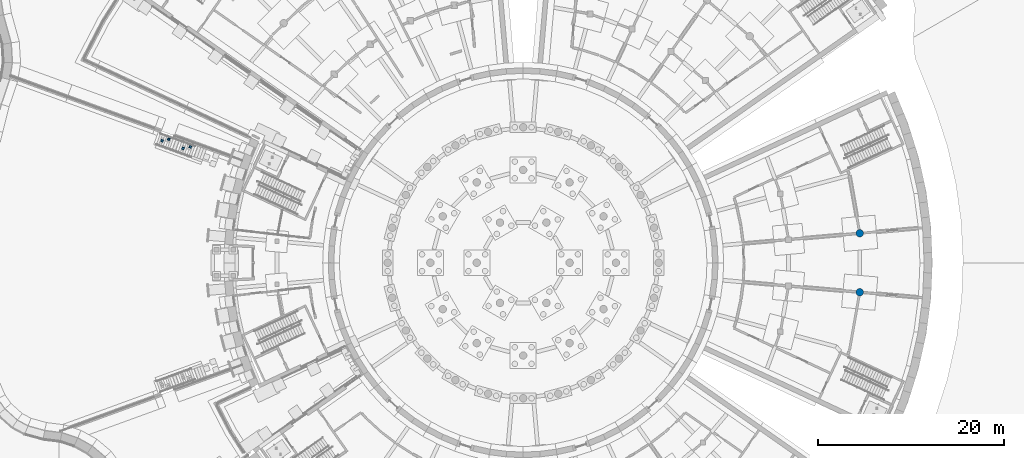
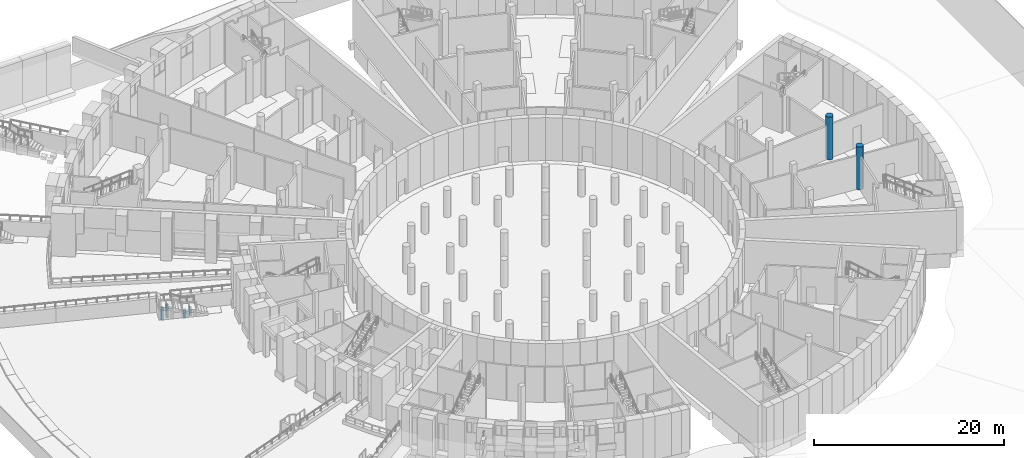
# One storey, part 9 of 65: 6 columns.
"""IFC4 building model written with IfcOpenShell, lengths in metres."""

from ifc_helpers import new_model, si_unit, direction, frame, origin, origin_2d, place, context, subcontext, project, spatial, rectangle, circle, extrude, material, material_profile, profile_set, type_object, element, save


model = new_model("IFC4")

# Units and contexts
model_context = context("Model", 3, precision=1e-05, world=origin(), true_north=direction((0.0, 1.0)))
body_context = subcontext(model_context, "Body", "Model", "MODEL_VIEW")
ifc_project = project(units=[si_unit("LENGTHUNIT", "METRE"), si_unit("AREAUNIT", "SQUARE_METRE"), si_unit("VOLUMEUNIT", "CUBIC_METRE"), si_unit("PLANEANGLEUNIT", "RADIAN"), si_unit("MASSUNIT", "GRAM", prefix="KILO")], contexts=[model_context])

# Site, building, storey
site_placement = place(None, origin())
site = spatial("IfcSite", under=ifc_project, at=site_placement, CompositionType="ELEMENT")
building_placement = place(site_placement, origin())
building = spatial("IfcBuilding", under=site, at=building_placement, Name="Volute Hill Aquarium", CompositionType="ELEMENT")
storey_placement = place(building_placement, frame((0.0, 0.0, -5.5)))
storey = spatial("IfcBuildingStorey", under=building, at=storey_placement, Name="L00", CompositionType="ELEMENT", Elevation=-5.5)

# Columns
ifc_material_1 = material(Name="Concrete C35/45", Category="concrete")
ifc_material_profile_1 = material_profile(ifc_material_1, circle(Radius=0.39990234375, at=origin_2d()), Name="RC round column D800")
ifc_profile_set_1 = profile_set([ifc_material_profile_1], Name="Concrete C35/45")
column_type_1 = type_object("IfcColumnType", Name="Column round column D800 C35/45", PredefinedType="COLUMN", material=ifc_profile_set_1)
for number, where, z_axis, x_axis, name in (
    (1, (36.261474609375, -3.172607421875, 0.0), (0.0, 0.0, 1.0), (1.0, 0.0, 0.0), "col/S4/L00/2.2"),
    (2, (36.261474609375, 3.172607421875, 0.0), (0.0, 0.0, 1.0), (1.0, 0.0, 0.0), "col/S4/L00/2.3"),
):
    element("IfcColumn", number, at=place(storey_placement, frame(where, z_axis=z_axis, x_axis=x_axis)), inside=storey, type_object=column_type_1, Name=name, PredefinedType="COLUMN", context=body_context, shape_type="SweptSolid", body=[
        extrude(circle(Radius=0.39990234375, at=origin_2d()), origin(), (0.0, 0.0, 1.0), 5.5),
    ])
ifc_material_2 = material(Name="Concrete C30/37", Category="concrete")
ifc_material_profile_2 = material_profile(ifc_material_2, rectangle(XDim=0.25, YDim=0.25, at=origin_2d()), Name="RC pier 250x250")
ifc_profile_set_2 = profile_set([ifc_material_profile_2], Name="Concrete C30/37")
column_type_2 = type_object("IfcColumnType", Name="Stair landing pier RC 250x250 C30/37", PredefinedType="COLUMN", material=ifc_profile_set_2)
for number, where, z_axis, x_axis, name in (
    (3, (-35.877685546875, 12.47314453125, -0.5), (0.0, 0.0, 1.0), (-0.939692620786, 0.342020143326, 0.0), "col/ST160/L00/q0"),
    (4, (-36.648681640625, 12.328125, -0.5), (0.0, 0.0, 1.0), (-0.939692620786, 0.342020143326, 0.0), "col/ST160/L00/q1"),
):
    element("IfcColumn", number, at=place(storey_placement, frame(where, z_axis=z_axis, x_axis=x_axis)), inside=storey, type_object=column_type_2, Name=name, PredefinedType="COLUMN", context=body_context, shape_type="SweptSolid", body=[
        extrude(rectangle(XDim=0.25, YDim=0.25, at=origin_2d()), origin(), (0.0, 0.0, 1.0), 1.06494140625),
    ])
for number, where, z_axis, x_axis, name in (
    (5, (-38.189208984375, 13.314453125, -0.5), (0.0, 0.0, 1.0), (-0.939692620786, 0.342020143326, 0.0), "col/ST160/L00/q2"),
    (6, (-38.90869140625, 13.150634765625, -0.5), (0.0, 0.0, 1.0), (-0.939692620786, 0.342020143326, 0.0), "col/ST160/L00/q3"),
):
    element("IfcColumn", number, at=place(storey_placement, frame(where, z_axis=z_axis, x_axis=x_axis)), inside=storey, type_object=column_type_2, Name=name, PredefinedType="COLUMN", context=body_context, shape_type="SweptSolid", body=[
        extrude(rectangle(XDim=0.25, YDim=0.25, at=origin_2d()), origin(), (0.0, 0.0, 1.0), 1.676025390625),
    ])

save(model, "model.ifc")
